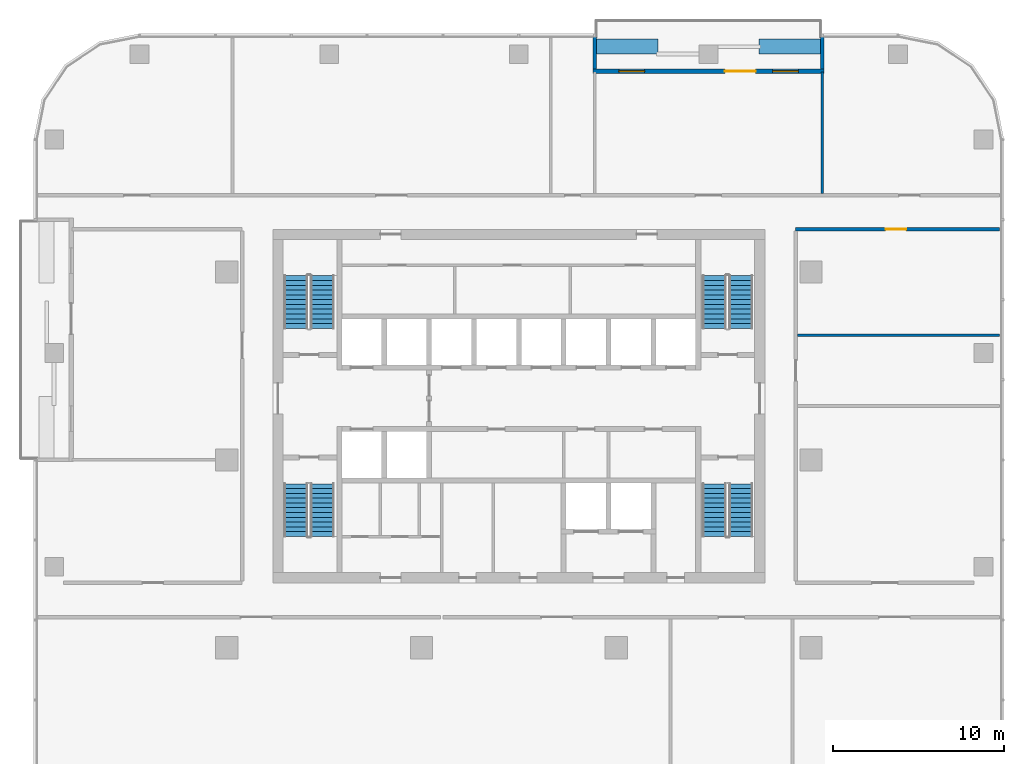
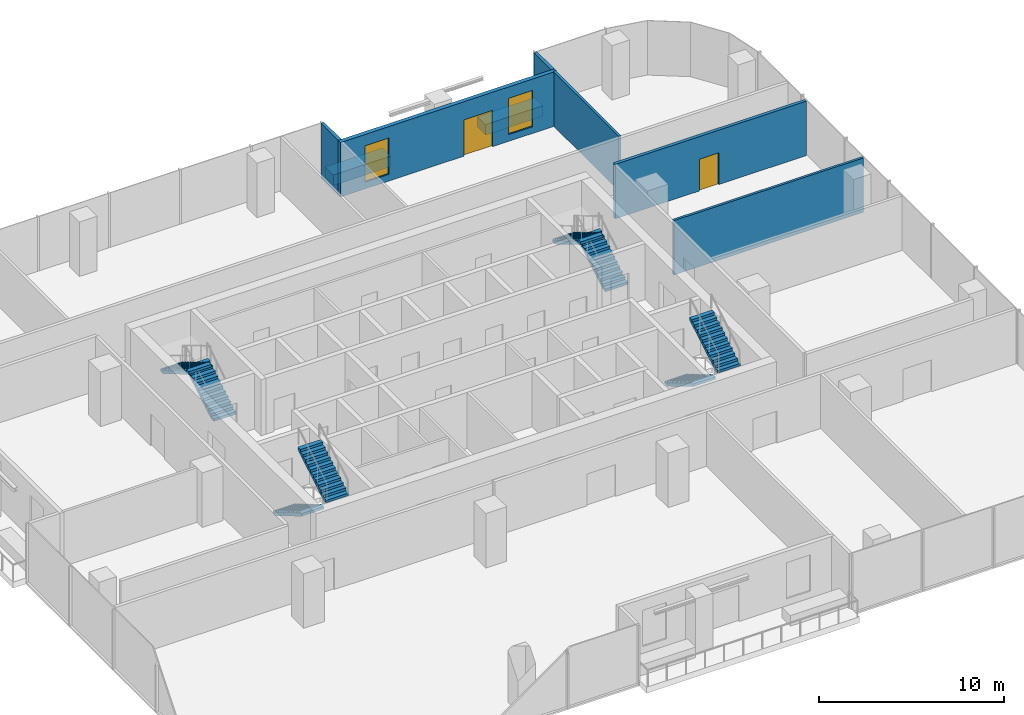
# One storey, part 10 of 14: 8 stair flights, 8 walls, 2 doors, 2 windows, 4 openings, 4 elements without a shape of their own.
"""IFC4 building model written with IfcOpenShell, lengths in metres."""

from ifc_helpers import new_model, si_unit, direction, frame, frame_2d, origin, place, context, subcontext, project, spatial, polyline, rectangle, outline, extrude, material, layer, layer_set, type_object, element, fill, aggregate, save


model = new_model("IFC4")

# Units and contexts
model_context = context("Model", 3, precision=1e-05, world=origin(), true_north=direction((0.0, 1.0)))
body_context = subcontext(model_context, "Body", "Model", "MODEL_VIEW")
ifc_project = project(units=[si_unit("LENGTHUNIT", "METRE"), si_unit("AREAUNIT", "SQUARE_METRE"), si_unit("VOLUMEUNIT", "CUBIC_METRE"), si_unit("PLANEANGLEUNIT", "RADIAN"), si_unit("MASSUNIT", "GRAM", prefix="KILO")], contexts=[model_context])

# Site, building, storey
site_placement = place(None, origin())
site = spatial("IfcSite", under=ifc_project, at=site_placement, CompositionType="ELEMENT")
building_placement = place(site_placement, origin())
building = spatial("IfcBuilding", under=site, at=building_placement, Name="Mopane Tessera Tower", CompositionType="ELEMENT")
storey_placement = place(building_placement, frame((0.0, 0.0, 251.0)))
storey = spatial("IfcBuildingStorey", under=building, at=storey_placement, Name="L54", CompositionType="ELEMENT", Elevation=251.0)

# Wall, opening, door
ifc_material_1 = material(Name="Gypsum board on steel studs, two layers each face, mineral wool infill", Category="steel")
ifc_layer_1 = layer(ifc_material_1, 0.199951171875)
ifc_layer_set_1 = layer_set([ifc_layer_1], Name="Gypsum board on steel studs, two layers each face, mineral wool infill")
wall_type_1 = type_object("IfcWallType", Name="Gypsum board corridor wall 200, rated EI 60", PredefinedType="PARTITIONING", material=ifc_layer_set_1)
wall_1_placement = place(storey_placement, frame((16.199951171875, 13.5, 0.0), z_axis=(0.0, 0.0, 1.0), x_axis=(1.0, 0.0, 0.0)))
wall_1 = element("IfcWall", 1, at=wall_1_placement, inside=storey, type_object=wall_type_1, Name="Partition L54:008", PredefinedType="PARTITIONING", context=body_context, shape_type="SweptSolid", body=[
    extrude(rectangle(XDim=11.949951171875, YDim=0.199951171875, at=frame_2d((5.97509765625, 0.0))), origin(), (0.0, 0.0, 1.0), 3.60009765625),
])
opening_1_placement = place(wall_1_placement, frame((5.27490234375, 0.0, 0.0)))
opening_1 = element("IfcOpeningElement", 2, at=opening_1_placement, cuts=wall_1, Name="Opening L54-07", PredefinedType="OPENING", context=body_context, shape_type="SweptSolid", body=[
    extrude(rectangle(XDim=1.199951171875, YDim=2.10009765625, at=frame_2d((0.60009765625, 1.050048828125))), frame((0.0, 0.112060546875, 0.0), z_axis=(0.0, -1.0, 0.0), x_axis=(1.0, 0.0, 0.0)), (0.0, 0.0, 1.0), 0.223876953125),
])
ifc_material_2 = material(Name="Timber veneered steel-framed fire door", Category="steel")
door_type_1 = type_object("IfcDoorType", Name="Fire door FD60 1200 x 2100", OperationType="SINGLE_SWING_LEFT", PredefinedType="DOOR", material=ifc_material_2)
door_1_placement = place(opening_1_placement, origin())
door_1 = element("IfcDoor", 3, at=door_1_placement, inside=storey, type_object=door_type_1, Name="Door L54-07", ObjectType="D15A", OperationType="SINGLE_SWING_LEFT", OverallHeight=2.10009765625, OverallWidth=1.199951171875, PredefinedType="DOOR", context=body_context, shape_type="SweptSolid", body=[
    extrude(rectangle(XDim=1.199951171875, YDim=2.10009765625, at=frame_2d((0.60009765625, 1.050048828125))), frame((0.0, 0.02490234375, 0.0), z_axis=(0.0, -1.0, 0.0), x_axis=(1.0, 0.0, 0.0)), (0.0, 0.0, 1.0), 0.050048828125),
])
fill(opening_1, door_1)

# Walls
ifc_material_3 = material(Name="Gypsum board on steel studs, mineral wool infill", Category="steel")
ifc_layer_2 = layer(ifc_material_3, 0.14990234375)
ifc_layer_set_2 = layer_set([ifc_layer_2], Name="Gypsum board on steel studs, mineral wool infill")
wall_type_2 = type_object("IfcWallType", Name="Gypsum board partition 150, rated EI 60", PredefinedType="PARTITIONING", material=ifc_layer_set_2)
wall_2_placement = place(storey_placement, frame((16.300048828125, 7.2900390625, 0.0), z_axis=(0.0, 0.0, 1.0), x_axis=(1.0, 0.0, 0.0)))
element("IfcWall", 4, at=wall_2_placement, inside=storey, type_object=wall_type_2, Name="Partition L54:006", PredefinedType="PARTITIONING", context=body_context, shape_type="SweptSolid", body=[
    extrude(rectangle(XDim=11.849853515625, YDim=0.14990234375, at=frame_2d((5.9248046875, 0.0))), origin(), (0.0, 0.0, 1.0), 3.60009765625),
])
wall_3_placement = place(storey_placement, frame((17.760009765625, 15.60009765625, 0.0), z_axis=(0.0, 0.0, 1.0), x_axis=(0.0, 1.0, 0.0)))
element("IfcWall", 5, at=wall_3_placement, inside=storey, type_object=wall_type_2, Name="Partition L54:017", PredefinedType="PARTITIONING", context=body_context, shape_type="SweptSolid", body=[
    extrude(rectangle(XDim=7.099853515625, YDim=0.14990234375, at=frame_2d((3.5498046875, 0.0))), origin(), (0.0, 0.0, 1.0), 3.60009765625),
])
ifc_material_4 = material(Name="Reinforced concrete C32/40 with waterproofing", Category="concrete")
ifc_layer_3 = layer(ifc_material_4, 0.89990234375)
ifc_layer_set_3 = layer_set([ifc_layer_3], Name="Reinforced concrete C32/40 with waterproofing")
wall_type_3 = type_object("IfcWallType", Name="Planter trough 3600 x 900", PredefinedType="STANDARD", material=ifc_layer_set_3)
for number, where, z_axis, x_axis, name in (
    (6, (17.659912109375, 24.199951171875, 0.0), (0.0, 0.0, 1.0), (-1.0, 0.0, 0.0), "e:nw:L54:N2:pl0"),
    (7, (8.139892578125, 24.199951171875, 0.0), (0.0, 0.0, 1.0), (-1.0, 0.0, 0.0), "e:nw:L54:N2:pl1"),
):
    element("IfcWall", number, at=place(storey_placement, frame(where, z_axis=z_axis, x_axis=x_axis)), inside=storey, type_object=wall_type_3, Name=name, PredefinedType="STANDARD", context=body_context, shape_type="SweptSolid", body=[
        extrude(rectangle(XDim=3.599853515625, YDim=0.89990234375, at=frame_2d((1.7998046875, 0.0))), origin(), (0.0, 0.0, 1.0), 0.699951171875),
    ])
ifc_material_5 = material(Name="Blockwork with glazed tile facing", Category="masonry")
ifc_layer_4 = layer(ifc_material_5, 0.199951171875)
ifc_layer_set_4 = layer_set([ifc_layer_4], Name="Blockwork with glazed tile facing")
wall_type_4 = type_object("IfcWallType", Name="Terrace cheek wall 200", PredefinedType="STANDARD", material=ifc_layer_set_4)
for number, where, z_axis, x_axis, name in (
    (8, (17.760009765625, 24.75, 0.0), (0.0, 0.0, 1.0), (0.0, -1.0, 0.0), "e:nw:L54:N2:cheeka"),
    (9, (4.43994140625, 24.75, 0.0), (0.0, 0.0, 1.0), (0.0, -1.0, 0.0), "e:nw:L54:N2:cheekb"),
):
    element("IfcWall", number, at=place(storey_placement, frame(where, z_axis=z_axis, x_axis=x_axis)), inside=storey, type_object=wall_type_4, Name=name, PredefinedType="STANDARD", context=body_context, shape_type="SweptSolid", body=[
        extrude(rectangle(XDim=1.875, YDim=0.199951171875, at=frame_2d((0.9375, 0.0))), origin(), (0.0, 0.0, 1.0), 3.60009765625),
    ])

# Wall, openings, windows, door
ifc_material_6 = material(Name="Blockwork with ochre glazed tile facing", Category="masonry")
ifc_layer_5 = layer(ifc_material_6, 0.25)
ifc_layer_set_5 = layer_set([ifc_layer_5], Name="Blockwork with ochre glazed tile facing")
wall_type_5 = type_object("IfcWallType", Name="Tile-clad external wall 250, ochre", PredefinedType="STANDARD", material=ifc_layer_set_5)
wall_4_placement = place(storey_placement, frame((17.860107421875, 22.75, 0.0), z_axis=(0.0, 0.0, 1.0), x_axis=(-1.0, 0.0, 0.0)))
wall_4 = element("IfcWall", 10, at=wall_4_placement, inside=storey, type_object=wall_type_5, Name="e:nw:L54:N2:back", PredefinedType="STANDARD", context=body_context, shape_type="SweptSolid", body=[
    extrude(rectangle(XDim=13.52001953125, YDim=0.25, at=frame_2d((6.760009765625, 0.0))), origin(), (0.0, 0.0, 1.0), 3.60009765625),
])
opening_2_placement = place(wall_4_placement, frame((1.5, 0.0, 0.449951171875)))
opening_2 = element("IfcOpeningElement", 11, at=opening_2_placement, cuts=wall_4, Name="Opening NW542A", PredefinedType="OPENING", context=body_context, shape_type="SweptSolid", body=[
    extrude(rectangle(XDim=1.5, YDim=2.39990234375, at=frame_2d((0.75, 1.199951171875))), frame((0.0, 0.136962890625, 0.0), z_axis=(0.0, -1.0, 0.0), x_axis=(1.0, 0.0, 0.0)), (0.0, 0.0, 1.0), 0.27392578125),
])
opening_3_placement = place(wall_4_placement, frame((4.0, 0.0, 0.0)))
opening_3 = element("IfcOpeningElement", 12, at=opening_3_placement, cuts=wall_4, Name="Opening ND542", PredefinedType="OPENING", context=body_context, shape_type="SweptSolid", body=[
    extrude(rectangle(XDim=1.800048828125, YDim=2.39990234375, at=frame_2d((0.89990234375, 1.199951171875))), frame((0.0, 0.136962890625, 0.0), z_axis=(0.0, -1.0, 0.0), x_axis=(1.0, 0.0, 0.0)), (0.0, 0.0, 1.0), 0.27392578125),
])
opening_4_placement = place(wall_4_placement, frame((10.5, 0.0, 0.449951171875)))
opening_4 = element("IfcOpeningElement", 13, at=opening_4_placement, cuts=wall_4, Name="Opening NW542B", PredefinedType="OPENING", context=body_context, shape_type="SweptSolid", body=[
    extrude(rectangle(XDim=1.5, YDim=2.39990234375, at=frame_2d((0.75, 1.199951171875))), frame((0.0, 0.136962890625, 0.0), z_axis=(0.0, -1.0, 0.0), x_axis=(1.0, 0.0, 0.0)), (0.0, 0.0, 1.0), 0.27392578125),
])
ifc_material_7 = material(Name="Clear laminated glass", Category="glass")
window_type = type_object("IfcWindowType", Name="Fixed window 1500 x 2400", PartitioningType="SINGLE_PANEL", PredefinedType="WINDOW", material=ifc_material_7)
window_1_placement = place(opening_2_placement, origin())
window_1 = element("IfcWindow", 14, at=window_1_placement, inside=storey, type_object=window_type, Name="e:nw:L54:N2:win0", OverallHeight=2.39990234375, OverallWidth=1.5, PartitioningType="SINGLE_PANEL", PredefinedType="WINDOW", context=body_context, shape_type="SweptSolid", body=[
    extrude(rectangle(XDim=1.5, YDim=2.39990234375, at=frame_2d((0.75, 1.199951171875))), frame((0.0, 0.030029296875, 0.0), z_axis=(0.0, -1.0, 0.0), x_axis=(1.0, 0.0, 0.0)), (0.0, 0.0, 1.0), 0.06005859375),
])
fill(opening_2, window_1)
window_2_placement = place(opening_4_placement, origin())
window_2 = element("IfcWindow", 15, at=window_2_placement, inside=storey, type_object=window_type, Name="e:nw:L54:N2:win2", OverallHeight=2.39990234375, OverallWidth=1.5, PartitioningType="SINGLE_PANEL", PredefinedType="WINDOW", context=body_context, shape_type="SweptSolid", body=[
    extrude(rectangle(XDim=1.5, YDim=2.39990234375, at=frame_2d((0.75, 1.199951171875))), frame((0.0, 0.030029296875, 0.0), z_axis=(0.0, -1.0, 0.0), x_axis=(1.0, 0.0, 0.0)), (0.0, 0.0, 1.0), 0.06005859375),
])
fill(opening_4, window_2)
ifc_material_8 = material(Name="Aluminium and clear glass", Category="aluminium")
door_type_2 = type_object("IfcDoorType", Name="Terrace double door 1800 x 2400", OperationType="DOUBLE_DOOR_SINGLE_SWING", PredefinedType="DOOR", material=ifc_material_8)
door_2_placement = place(opening_3_placement, origin())
door_2 = element("IfcDoor", 16, at=door_2_placement, inside=storey, type_object=door_type_2, Name="e:nw:L54:N2:door", ObjectType="D1", OperationType="DOUBLE_DOOR_SINGLE_SWING", OverallHeight=2.39990234375, OverallWidth=1.800048828125, PredefinedType="DOOR", context=body_context, shape_type="SweptSolid", body=[
    extrude(rectangle(XDim=1.800048828125, YDim=2.39990234375, at=frame_2d((0.89990234375, 1.199951171875))), frame((0.0, 0.02490234375, 0.0), z_axis=(0.0, -1.0, 0.0), x_axis=(1.0, 0.0, 0.0)), (0.0, 0.0, 1.0), 0.050048828125),
])
fill(opening_3, door_2)

# Stair, stair flights
ifc_material_9 = material(Name="Concrete C50/60", Category="concrete")
stair_type = type_object("IfcStairType", Name="Escape stair 1400 mm, riser 167 mm", PredefinedType="HALF_TURN_STAIR", material=ifc_material_9)
stair_1_placement = place(storey_placement, origin())
stair_1 = element("IfcStair", 17, at=stair_1_placement, inside=storey, type_object=stair_type, Name="L54 Escape stair south-west", PredefinedType="HALF_TURN_STAIR")
ifc_material_10 = material(Name="Concrete C50/60", Category="concrete")
stair_flight_type = type_object("IfcStairFlightType", Name="Escape stair flight 1400 mm", PredefinedType="STRAIGHT", material=ifc_material_10)
stair_flight_1_placement = place(storey_placement, frame((-13.050048828125, -1.39990234375, 0.0), z_axis=(0.0, 0.0, 1.0), x_axis=(0.0, -1.0, 0.0)))
stair_flight_1 = element("IfcStairFlight", 18, at=stair_flight_1_placement, type_object=stair_flight_type, Name="ST1 flight 1", NumberOfRisers=12, NumberOfTreads=11, PredefinedType="STRAIGHT", RiserHeight=0.166666667, TreadLength=0.28, context=body_context, shape_type="SweptSolid", body=[
    extrude(outline(polyline([(0.0, 0.0), (0.0, 0.166748046875), (0.280029296875, 0.166748046875), (0.280029296875, 0.333251953125), (0.56005859375, 0.333251953125), (0.56005859375, 0.5), (0.840087890625, 0.5), (0.840087890625, 0.666748046875), (1.1201171875, 0.666748046875), (1.1201171875, 0.833251953125), (1.39990234375, 0.833251953125), (1.39990234375, 1.0), (1.679931640625, 1.0), (1.679931640625, 1.166748046875), (1.9599609375, 1.166748046875), (1.9599609375, 1.333251953125), (2.239990234375, 1.333251953125), (2.239990234375, 1.5), (2.52001953125, 1.5), (2.52001953125, 1.666748046875), (2.800048828125, 1.666748046875), (2.800048828125, 1.833251953125), (3.080078125, 1.833251953125), (3.080078125, 2.0), (3.080078125, 1.658935546875), (0.29296875, 0.0), (0.0, 0.0)])), frame((0.0, 0.699951171875, 0.0), z_axis=(0.0, -1.0, 0.0), x_axis=(1.0, 0.0, 0.0)), (0.0, 0.0, 1.0), 1.39990234375),
])
stair_flight_2_placement = place(storey_placement, frame((-11.5, -4.47998046875, 2.0), z_axis=(0.0, 0.0, 1.0), x_axis=(0.0, 1.0, 0.0)))
stair_flight_2 = element("IfcStairFlight", 19, at=stair_flight_2_placement, type_object=stair_flight_type, Name="ST1 flight 2", NumberOfRisers=12, NumberOfTreads=11, PredefinedType="STRAIGHT", RiserHeight=0.166666667, TreadLength=0.28, context=body_context, shape_type="SweptSolid", body=[
    extrude(outline(polyline([(0.0, 0.0), (0.0, 0.166748046875), (0.280029296875, 0.166748046875), (0.280029296875, 0.333251953125), (0.56005859375, 0.333251953125), (0.56005859375, 0.5), (0.840087890625, 0.5), (0.840087890625, 0.666748046875), (1.1201171875, 0.666748046875), (1.1201171875, 0.833251953125), (1.39990234375, 0.833251953125), (1.39990234375, 1.0), (1.679931640625, 1.0), (1.679931640625, 1.166748046875), (1.9599609375, 1.166748046875), (1.9599609375, 1.333251953125), (2.239990234375, 1.333251953125), (2.239990234375, 1.5), (2.52001953125, 1.5), (2.52001953125, 1.666748046875), (2.800048828125, 1.666748046875), (2.800048828125, 1.833251953125), (3.080078125, 1.833251953125), (3.080078125, 2.0), (3.080078125, 1.658935546875), (0.29296875, 0.0), (0.0, 0.0)])), frame((0.0, 0.699951171875, 0.0), z_axis=(0.0, -1.0, 0.0), x_axis=(1.0, 0.0, 0.0)), (0.0, 0.0, 1.0), 1.39990234375),
])
aggregate(stair_1, [stair_flight_1, stair_flight_2])

stair_2_placement = place(storey_placement, origin())
stair_2 = element("IfcStair", 20, at=stair_2_placement, inside=storey, type_object=stair_type, Name="L54 Escape stair north-west", PredefinedType="HALF_TURN_STAIR")
stair_flight_3_placement = place(storey_placement, frame((-11.5, 7.699951171875, 0.0), z_axis=(0.0, 0.0, 1.0), x_axis=(0.0, 1.0, 0.0)))
stair_flight_3 = element("IfcStairFlight", 21, at=stair_flight_3_placement, type_object=stair_flight_type, Name="ST2 flight 1", NumberOfRisers=12, NumberOfTreads=11, PredefinedType="STRAIGHT", RiserHeight=0.166666667, TreadLength=0.28, context=body_context, shape_type="SweptSolid", body=[
    extrude(outline(polyline([(0.0, 0.0), (0.0, 0.166748046875), (0.280029296875, 0.166748046875), (0.280029296875, 0.333251953125), (0.56005859375, 0.333251953125), (0.56005859375, 0.5), (0.840087890625, 0.5), (0.840087890625, 0.666748046875), (1.1201171875, 0.666748046875), (1.1201171875, 0.833251953125), (1.39990234375, 0.833251953125), (1.39990234375, 1.0), (1.679931640625, 1.0), (1.679931640625, 1.166748046875), (1.9599609375, 1.166748046875), (1.9599609375, 1.333251953125), (2.239990234375, 1.333251953125), (2.239990234375, 1.5), (2.52001953125, 1.5), (2.52001953125, 1.666748046875), (2.800048828125, 1.666748046875), (2.800048828125, 1.833251953125), (3.080078125, 1.833251953125), (3.080078125, 2.0), (3.080078125, 1.658935546875), (0.29296875, 0.0), (0.0, 0.0)])), frame((0.0, 0.699951171875, 0.0), z_axis=(0.0, -1.0, 0.0), x_axis=(1.0, 0.0, 0.0)), (0.0, 0.0, 1.0), 1.39990234375),
])
stair_flight_4_placement = place(storey_placement, frame((-13.050048828125, 10.780029296875, 2.0), z_axis=(0.0, 0.0, 1.0), x_axis=(0.0, -1.0, 0.0)))
stair_flight_4 = element("IfcStairFlight", 22, at=stair_flight_4_placement, type_object=stair_flight_type, Name="ST2 flight 2", NumberOfRisers=12, NumberOfTreads=11, PredefinedType="STRAIGHT", RiserHeight=0.166666667, TreadLength=0.28, context=body_context, shape_type="SweptSolid", body=[
    extrude(outline(polyline([(0.0, 0.0), (0.0, 0.166748046875), (0.280029296875, 0.166748046875), (0.280029296875, 0.333251953125), (0.56005859375, 0.333251953125), (0.56005859375, 0.5), (0.840087890625, 0.5), (0.840087890625, 0.666748046875), (1.1201171875, 0.666748046875), (1.1201171875, 0.833251953125), (1.39990234375, 0.833251953125), (1.39990234375, 1.0), (1.679931640625, 1.0), (1.679931640625, 1.166748046875), (1.9599609375, 1.166748046875), (1.9599609375, 1.333251953125), (2.239990234375, 1.333251953125), (2.239990234375, 1.5), (2.52001953125, 1.5), (2.52001953125, 1.666748046875), (2.800048828125, 1.666748046875), (2.800048828125, 1.833251953125), (3.080078125, 1.833251953125), (3.080078125, 2.0), (3.080078125, 1.658935546875), (0.29296875, 0.0), (0.0, 0.0)])), frame((0.0, 0.699951171875, 0.0), z_axis=(0.0, -1.0, 0.0), x_axis=(1.0, 0.0, 0.0)), (0.0, 0.0, 1.0), 1.39990234375),
])
aggregate(stair_2, [stair_flight_3, stair_flight_4])

stair_3_placement = place(storey_placement, origin())
stair_3 = element("IfcStair", 23, at=stair_3_placement, inside=storey, type_object=stair_type, Name="L54 Escape stair south-east", PredefinedType="HALF_TURN_STAIR")
stair_flight_5_placement = place(storey_placement, frame((11.449951171875, -1.39990234375, 0.0), z_axis=(0.0, 0.0, 1.0), x_axis=(0.0, -1.0, 0.0)))
stair_flight_5 = element("IfcStairFlight", 24, at=stair_flight_5_placement, type_object=stair_flight_type, Name="ST3 flight 1", NumberOfRisers=12, NumberOfTreads=11, PredefinedType="STRAIGHT", RiserHeight=0.166666667, TreadLength=0.28, context=body_context, shape_type="SweptSolid", body=[
    extrude(outline(polyline([(0.0, 0.0), (0.0, 0.166748046875), (0.280029296875, 0.166748046875), (0.280029296875, 0.333251953125), (0.56005859375, 0.333251953125), (0.56005859375, 0.5), (0.840087890625, 0.5), (0.840087890625, 0.666748046875), (1.1201171875, 0.666748046875), (1.1201171875, 0.833251953125), (1.39990234375, 0.833251953125), (1.39990234375, 1.0), (1.679931640625, 1.0), (1.679931640625, 1.166748046875), (1.9599609375, 1.166748046875), (1.9599609375, 1.333251953125), (2.239990234375, 1.333251953125), (2.239990234375, 1.5), (2.52001953125, 1.5), (2.52001953125, 1.666748046875), (2.800048828125, 1.666748046875), (2.800048828125, 1.833251953125), (3.080078125, 1.833251953125), (3.080078125, 2.0), (3.080078125, 1.658935546875), (0.29296875, 0.0), (0.0, 0.0)])), frame((0.0, 0.699951171875, 0.0), z_axis=(0.0, -1.0, 0.0), x_axis=(1.0, 0.0, 0.0)), (0.0, 0.0, 1.0), 1.39990234375),
])
stair_flight_6_placement = place(storey_placement, frame((13.0, -4.47998046875, 2.0), z_axis=(0.0, 0.0, 1.0), x_axis=(0.0, 1.0, 0.0)))
stair_flight_6 = element("IfcStairFlight", 25, at=stair_flight_6_placement, type_object=stair_flight_type, Name="ST3 flight 2", NumberOfRisers=12, NumberOfTreads=11, PredefinedType="STRAIGHT", RiserHeight=0.166666667, TreadLength=0.28, context=body_context, shape_type="SweptSolid", body=[
    extrude(outline(polyline([(0.0, 0.0), (0.0, 0.166748046875), (0.280029296875, 0.166748046875), (0.280029296875, 0.333251953125), (0.56005859375, 0.333251953125), (0.56005859375, 0.5), (0.840087890625, 0.5), (0.840087890625, 0.666748046875), (1.1201171875, 0.666748046875), (1.1201171875, 0.833251953125), (1.39990234375, 0.833251953125), (1.39990234375, 1.0), (1.679931640625, 1.0), (1.679931640625, 1.166748046875), (1.9599609375, 1.166748046875), (1.9599609375, 1.333251953125), (2.239990234375, 1.333251953125), (2.239990234375, 1.5), (2.52001953125, 1.5), (2.52001953125, 1.666748046875), (2.800048828125, 1.666748046875), (2.800048828125, 1.833251953125), (3.080078125, 1.833251953125), (3.080078125, 2.0), (3.080078125, 1.658935546875), (0.29296875, 0.0), (0.0, 0.0)])), frame((0.0, 0.699951171875, 0.0), z_axis=(0.0, -1.0, 0.0), x_axis=(1.0, 0.0, 0.0)), (0.0, 0.0, 1.0), 1.39990234375),
])
aggregate(stair_3, [stair_flight_5, stair_flight_6])

stair_4_placement = place(storey_placement, origin())
stair_4 = element("IfcStair", 26, at=stair_4_placement, inside=storey, type_object=stair_type, Name="L54 Escape stair north-east", PredefinedType="HALF_TURN_STAIR")
stair_flight_7_placement = place(storey_placement, frame((13.0, 7.699951171875, 0.0), z_axis=(0.0, 0.0, 1.0), x_axis=(0.0, 1.0, 0.0)))
stair_flight_7 = element("IfcStairFlight", 27, at=stair_flight_7_placement, type_object=stair_flight_type, Name="ST4 flight 1", NumberOfRisers=12, NumberOfTreads=11, PredefinedType="STRAIGHT", RiserHeight=0.166666667, TreadLength=0.28, context=body_context, shape_type="SweptSolid", body=[
    extrude(outline(polyline([(0.0, 0.0), (0.0, 0.166748046875), (0.280029296875, 0.166748046875), (0.280029296875, 0.333251953125), (0.56005859375, 0.333251953125), (0.56005859375, 0.5), (0.840087890625, 0.5), (0.840087890625, 0.666748046875), (1.1201171875, 0.666748046875), (1.1201171875, 0.833251953125), (1.39990234375, 0.833251953125), (1.39990234375, 1.0), (1.679931640625, 1.0), (1.679931640625, 1.166748046875), (1.9599609375, 1.166748046875), (1.9599609375, 1.333251953125), (2.239990234375, 1.333251953125), (2.239990234375, 1.5), (2.52001953125, 1.5), (2.52001953125, 1.666748046875), (2.800048828125, 1.666748046875), (2.800048828125, 1.833251953125), (3.080078125, 1.833251953125), (3.080078125, 2.0), (3.080078125, 1.658935546875), (0.29296875, 0.0), (0.0, 0.0)])), frame((0.0, 0.699951171875, 0.0), z_axis=(0.0, -1.0, 0.0), x_axis=(1.0, 0.0, 0.0)), (0.0, 0.0, 1.0), 1.39990234375),
])
stair_flight_8_placement = place(storey_placement, frame((11.449951171875, 10.780029296875, 2.0), z_axis=(0.0, 0.0, 1.0), x_axis=(0.0, -1.0, 0.0)))
stair_flight_8 = element("IfcStairFlight", 28, at=stair_flight_8_placement, type_object=stair_flight_type, Name="ST4 flight 2", NumberOfRisers=12, NumberOfTreads=11, PredefinedType="STRAIGHT", RiserHeight=0.166666667, TreadLength=0.28, context=body_context, shape_type="SweptSolid", body=[
    extrude(outline(polyline([(0.0, 0.0), (0.0, 0.166748046875), (0.280029296875, 0.166748046875), (0.280029296875, 0.333251953125), (0.56005859375, 0.333251953125), (0.56005859375, 0.5), (0.840087890625, 0.5), (0.840087890625, 0.666748046875), (1.1201171875, 0.666748046875), (1.1201171875, 0.833251953125), (1.39990234375, 0.833251953125), (1.39990234375, 1.0), (1.679931640625, 1.0), (1.679931640625, 1.166748046875), (1.9599609375, 1.166748046875), (1.9599609375, 1.333251953125), (2.239990234375, 1.333251953125), (2.239990234375, 1.5), (2.52001953125, 1.5), (2.52001953125, 1.666748046875), (2.800048828125, 1.666748046875), (2.800048828125, 1.833251953125), (3.080078125, 1.833251953125), (3.080078125, 2.0), (3.080078125, 1.658935546875), (0.29296875, 0.0), (0.0, 0.0)])), frame((0.0, 0.699951171875, 0.0), z_axis=(0.0, -1.0, 0.0), x_axis=(1.0, 0.0, 0.0)), (0.0, 0.0, 1.0), 1.39990234375),
])
aggregate(stair_4, [stair_flight_7, stair_flight_8])

save(model, "model.ifc")
